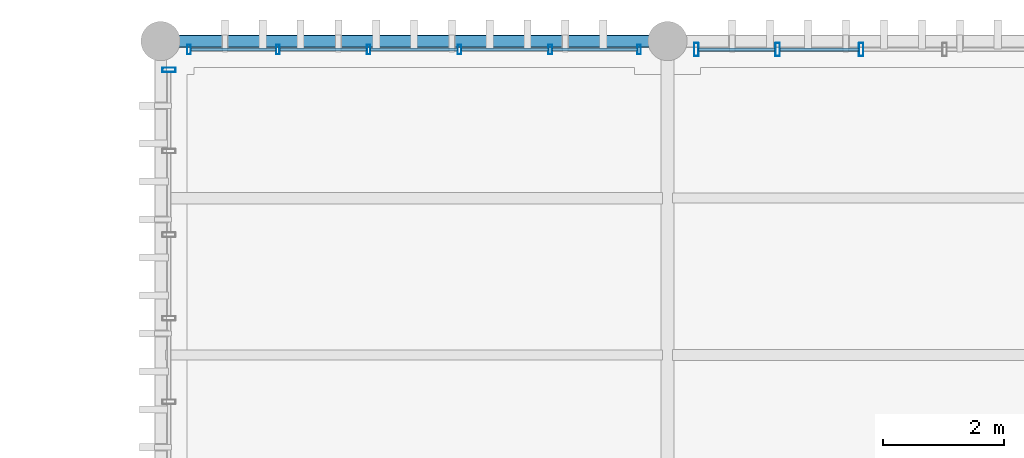
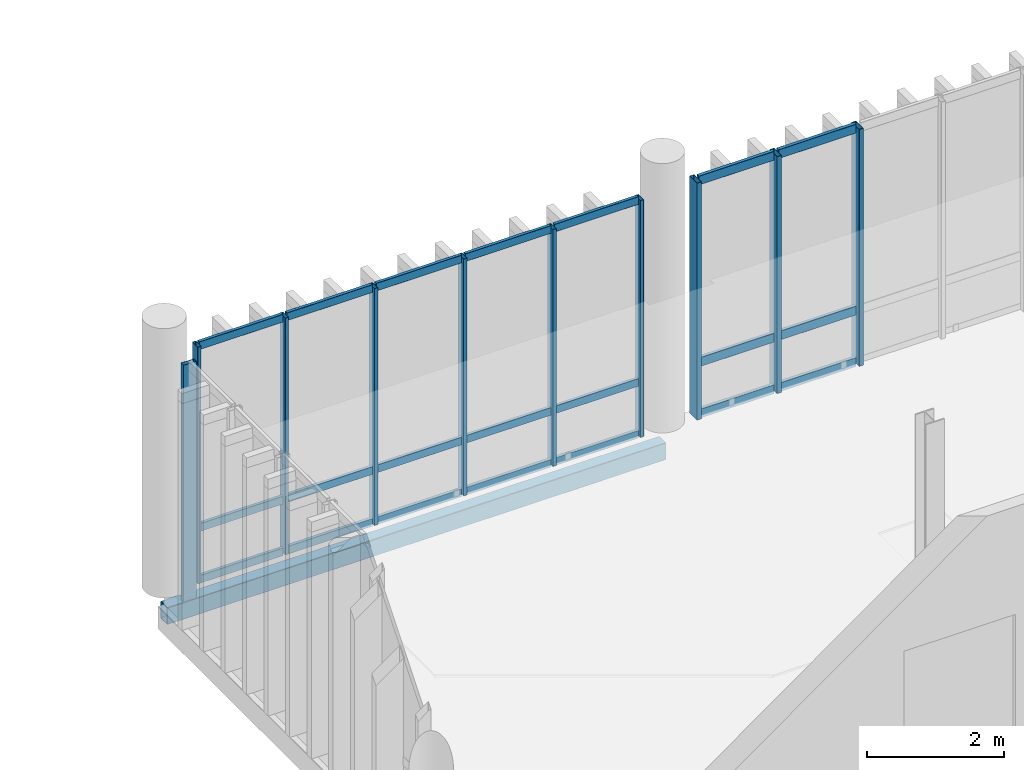
# One storey, part 55 of 86: 31 members, 1 beam, 3 elements without a shape of their own.
"""IFC4 building model written with IfcOpenShell, lengths in metres."""

from ifc_helpers import new_model, si_unit, direction, frame, origin_with_axes, origin_2d_with_axis, place, context, subcontext, project, spatial, hollow_rectangle, extrude, material, material_profile, profile_set, type_object, element, aggregate, save


model = new_model("IFC4")

# Units and contexts
model_context = context("Model", 3, precision=1e-05, world=origin_with_axes(), true_north=direction((0.0, 1.0)))
body_context = subcontext(model_context, "Body", "Model", "MODEL_VIEW")
ifc_project = project(units=[si_unit("LENGTHUNIT", "METRE"), si_unit("AREAUNIT", "SQUARE_METRE"), si_unit("VOLUMEUNIT", "CUBIC_METRE"), si_unit("PLANEANGLEUNIT", "RADIAN"), si_unit("MASSUNIT", "GRAM", prefix="KILO"), si_unit("THERMODYNAMICTEMPERATUREUNIT", "KELVIN")], contexts=[model_context])

# Site, building, storey
site_placement = place(None, origin_with_axes())
site = spatial("IfcSite", under=ifc_project, at=site_placement, CompositionType="ELEMENT")
building_placement = place(site_placement, origin_with_axes())
building = spatial("IfcBuilding", under=site, at=building_placement, Name="Montbau Bow Law Courts", CompositionType="ELEMENT")
storey_placement = place(building_placement, frame((0.0, 0.0, 29.7), z_axis=(0.0, 0.0, 1.0), x_axis=(1.0, 0.0, 0.0)))
storey = spatial("IfcBuildingStorey", under=building, at=storey_placement, Name="L06", CompositionType="ELEMENT", Elevation=29.7)

# Beam
ifc_material_1 = material(Name="Steel CSA G40.21 Grade 350WT (350 MPa)", Category="steel")
ifc_material_profile_1 = material_profile(ifc_material_1, hollow_rectangle(XDim=0.203, YDim=0.305, WallThickness=0.0127, InnerFilletRadius=0.0254, OuterFilletRadius=0.0127, at=origin_2d_with_axis()), Name="HSS305X203X13", Category="Main", Priority=0)
ifc_profile_set_1 = profile_set([ifc_material_profile_1], Name="Steel CSA G40.21 Grade 350WT (350 MPa)")
beam_type = type_object("IfcBeamType", Name="B-SPN-02", PredefinedType="SPANDREL", material=ifc_profile_set_1)
beam_placement = place(None, frame((138.6, 111.0, 29.207), z_axis=(1.0, 0.0, 0.0), x_axis=(0.0, 1.0, 0.0)))
element("IfcBeam", 1, at=beam_placement, inside=storey, type_object=beam_type, Name="SPN-L06-S1314:bm2_1317", PredefinedType="SPANDREL", context=body_context, shape_type="SweptSolid", body=[
    extrude(hollow_rectangle(XDim=0.203, YDim=0.305, WallThickness=0.0127, InnerFilletRadius=0.0254, OuterFilletRadius=0.0127, at=origin_2d_with_axis()), origin_with_axes(), (0.0, 0.0, 1.0), 8.4),
])

# Curtain wall, members
ifc_material_2 = material(Name="Thermally Broken Extruded Aluminium AA 6063-T6", Category="aluminium")
curtain_wall_type = type_object("IfcCurtainWallType", Name="CW-SLT-02", PredefinedType="NOTDEFINED", material=ifc_material_2)
curtain_wall_1_placement = place(None, frame((147.44, 110.86, 29.7), z_axis=(0.0, 0.0, 1.0), x_axis=(1.0, 0.0, 0.0)))
curtain_wall_1 = element("IfcCurtainWall", 2, at=curtain_wall_1_placement, inside=storey, type_object=curtain_wall_type, Name="CW-L06-354:cw_0354", PredefinedType="NOTDEFINED")
ifc_material_profile_2 = material_profile(ifc_material_2, hollow_rectangle(XDim=0.075, YDim=0.22, WallThickness=0.005, InnerFilletRadius=0.01, OuterFilletRadius=0.005, at=origin_2d_with_axis()), Name="CWM-220X75", Category="Main", Priority=0)
ifc_profile_set_2 = profile_set([ifc_material_profile_2], Name="Thermally Broken Extruded Aluminium AA 6063-T6")
member_type_1 = type_object("IfcMemberType", Name="M-MUL-01", PredefinedType="MULLION", material=ifc_profile_set_2)
member_1_placement = place(None, frame((147.477, 110.86, 29.7), z_axis=(0.0, 0.0, 1.0), x_axis=(1.0, 0.0, 0.0)))
member_1 = element("IfcMember", 3, at=member_1_placement, type_object=member_type_1, Name="CW-L06-354-M01:cw_0354_M01", PredefinedType="MULLION", context=body_context, shape_type="SweptSolid", body=[
    extrude(hollow_rectangle(XDim=0.075, YDim=0.22, WallThickness=0.005, InnerFilletRadius=0.01, OuterFilletRadius=0.005, at=origin_2d_with_axis()), origin_with_axes(), (0.0, 0.0, 1.0), 4.22),
])
member_2_placement = place(None, frame((148.824, 110.86, 29.7), z_axis=(0.0, 0.0, 1.0), x_axis=(1.0, 0.0, 0.0)))
member_2 = element("IfcMember", 4, at=member_2_placement, type_object=member_type_1, Name="CW-L06-354-M02:cw_0354_M02", PredefinedType="MULLION", context=body_context, shape_type="SweptSolid", body=[
    extrude(hollow_rectangle(XDim=0.075, YDim=0.22, WallThickness=0.005, InnerFilletRadius=0.01, OuterFilletRadius=0.005, at=origin_2d_with_axis()), origin_with_axes(), (0.0, 0.0, 1.0), 4.22),
])
member_3_placement = place(None, frame((150.208, 110.86, 29.7), z_axis=(0.0, 0.0, 1.0), x_axis=(1.0, 0.0, 0.0)))
member_3 = element("IfcMember", 5, at=member_3_placement, type_object=member_type_1, Name="CW-L06-354-M03:cw_0354_M03", PredefinedType="MULLION", context=body_context, shape_type="SweptSolid", body=[
    extrude(hollow_rectangle(XDim=0.075, YDim=0.22, WallThickness=0.005, InnerFilletRadius=0.01, OuterFilletRadius=0.005, at=origin_2d_with_axis()), origin_with_axes(), (0.0, 0.0, 1.0), 4.22),
])

# Curtain wall, member
curtain_wall_2_placement = place(None, frame((138.74, 103.64, 29.7), z_axis=(0.0, 0.0, 1.0), x_axis=(1.0, 0.0, 0.0)))
curtain_wall_2 = element("IfcCurtainWall", 6, at=curtain_wall_2_placement, inside=storey, type_object=curtain_wall_type, Name="CW-L06-360:cw_0360", PredefinedType="NOTDEFINED")
member_4_placement = place(None, frame((138.74, 110.523, 29.7), z_axis=(0.0, 0.0, 1.0), x_axis=(0.0, 1.0, 0.0)))
member_4 = element("IfcMember", 7, at=member_4_placement, type_object=member_type_1, Name="CW-L06-360-M06:cw_0360_M06", PredefinedType="MULLION", context=body_context, shape_type="SweptSolid", body=[
    extrude(hollow_rectangle(XDim=0.075, YDim=0.22, WallThickness=0.005, InnerFilletRadius=0.01, OuterFilletRadius=0.005, at=origin_2d_with_axis()), origin_with_axes(), (0.0, 0.0, 1.0), 4.22),
])
aggregate(curtain_wall_2, [member_4])

# Curtain wall, members
curtain_wall_3_placement = place(None, frame((139.04, 110.86, 29.7), z_axis=(0.0, 0.0, 1.0), x_axis=(1.0, 0.0, 0.0)))
curtain_wall_3 = element("IfcCurtainWall", 8, at=curtain_wall_3_placement, inside=storey, type_object=curtain_wall_type, Name="CW-L06-353:cw_0353", PredefinedType="NOTDEFINED")
ifc_material_profile_3 = material_profile(ifc_material_2, hollow_rectangle(XDim=0.06, YDim=0.16, WallThickness=0.004, InnerFilletRadius=0.008, OuterFilletRadius=0.004, at=origin_2d_with_axis()), Name="CWM-160X60", Category="Main", Priority=0)
ifc_profile_set_3 = profile_set([ifc_material_profile_3], Name="Thermally Broken Extruded Aluminium AA 6063-T6")
member_type_2 = type_object("IfcMemberType", Name="M-MUL-03", PredefinedType="MULLION", material=ifc_profile_set_3)
member_5_placement = place(None, frame((139.07, 110.86, 29.7), z_axis=(0.0, 0.0, 1.0), x_axis=(1.0, 0.0, 0.0)))
member_5 = element("IfcMember", 9, at=member_5_placement, type_object=member_type_2, Name="CW-L06-353-M01:cw_0353_M01", PredefinedType="MULLION", context=body_context, shape_type="SweptSolid", body=[
    extrude(hollow_rectangle(XDim=0.06, YDim=0.16, WallThickness=0.004, InnerFilletRadius=0.008, OuterFilletRadius=0.004, at=origin_2d_with_axis()), origin_with_axes(), (0.0, 0.0, 1.0), 4.22),
])
member_6_placement = place(None, frame((140.544, 110.86, 29.7), z_axis=(0.0, 0.0, 1.0), x_axis=(1.0, 0.0, 0.0)))
member_6 = element("IfcMember", 10, at=member_6_placement, type_object=member_type_2, Name="CW-L06-353-M02:cw_0353_M02", PredefinedType="MULLION", context=body_context, shape_type="SweptSolid", body=[
    extrude(hollow_rectangle(XDim=0.06, YDim=0.16, WallThickness=0.004, InnerFilletRadius=0.008, OuterFilletRadius=0.004, at=origin_2d_with_axis()), origin_with_axes(), (0.0, 0.0, 1.0), 4.22),
])
member_7_placement = place(None, frame((142.048, 110.86, 29.7), z_axis=(0.0, 0.0, 1.0), x_axis=(1.0, 0.0, 0.0)))
member_7 = element("IfcMember", 11, at=member_7_placement, type_object=member_type_2, Name="CW-L06-353-M03:cw_0353_M03", PredefinedType="MULLION", context=body_context, shape_type="SweptSolid", body=[
    extrude(hollow_rectangle(XDim=0.06, YDim=0.16, WallThickness=0.004, InnerFilletRadius=0.008, OuterFilletRadius=0.004, at=origin_2d_with_axis()), origin_with_axes(), (0.0, 0.0, 1.0), 4.22),
])
member_8_placement = place(None, frame((143.552, 110.86, 29.7), z_axis=(0.0, 0.0, 1.0), x_axis=(1.0, 0.0, 0.0)))
member_8 = element("IfcMember", 12, at=member_8_placement, type_object=member_type_2, Name="CW-L06-353-M04:cw_0353_M04", PredefinedType="MULLION", context=body_context, shape_type="SweptSolid", body=[
    extrude(hollow_rectangle(XDim=0.06, YDim=0.16, WallThickness=0.004, InnerFilletRadius=0.008, OuterFilletRadius=0.004, at=origin_2d_with_axis()), origin_with_axes(), (0.0, 0.0, 1.0), 4.22),
])
member_9_placement = place(None, frame((145.056, 110.86, 29.7), z_axis=(0.0, 0.0, 1.0), x_axis=(1.0, 0.0, 0.0)))
member_9 = element("IfcMember", 13, at=member_9_placement, type_object=member_type_2, Name="CW-L06-353-M05:cw_0353_M05", PredefinedType="MULLION", context=body_context, shape_type="SweptSolid", body=[
    extrude(hollow_rectangle(XDim=0.06, YDim=0.16, WallThickness=0.004, InnerFilletRadius=0.008, OuterFilletRadius=0.004, at=origin_2d_with_axis()), origin_with_axes(), (0.0, 0.0, 1.0), 4.22),
])
member_10_placement = place(None, frame((146.53, 110.86, 29.7), z_axis=(0.0, 0.0, 1.0), x_axis=(1.0, 0.0, 0.0)))
member_10 = element("IfcMember", 14, at=member_10_placement, type_object=member_type_2, Name="CW-L06-353-M06:cw_0353_M06", PredefinedType="MULLION", context=body_context, shape_type="SweptSolid", body=[
    extrude(hollow_rectangle(XDim=0.06, YDim=0.16, WallThickness=0.004, InnerFilletRadius=0.008, OuterFilletRadius=0.004, at=origin_2d_with_axis()), origin_with_axes(), (0.0, 0.0, 1.0), 4.22),
])

# Member
ifc_material_profile_4 = material_profile(ifc_material_2, hollow_rectangle(XDim=0.06, YDim=0.16, WallThickness=0.004, InnerFilletRadius=0.008, OuterFilletRadius=0.004, at=origin_2d_with_axis()), Name="CWT-160X60", Category="Main", Priority=0)
ifc_profile_set_4 = profile_set([ifc_material_profile_4], Name="Thermally Broken Extruded Aluminium AA 6063-T6")
member_type_3 = type_object("IfcMemberType", Name="M-TRN-01", PredefinedType="USERDEFINED", material=ifc_profile_set_4)
member_11_placement = place(None, frame((147.516, 110.86, 29.73), z_axis=(1.0, 0.0, 0.0), x_axis=(0.0, 1.0, 0.0)))
member_11 = element("IfcMember", 15, at=member_11_placement, type_object=member_type_3, Name="CW-L06-354-T01-1:cw_0354_T01_1", ObjectType="TRANSOM", PredefinedType="USERDEFINED", context=body_context, shape_type="SweptSolid", body=[
    extrude(hollow_rectangle(XDim=0.06, YDim=0.16, WallThickness=0.004, InnerFilletRadius=0.008, OuterFilletRadius=0.004, at=origin_2d_with_axis()), origin_with_axes(), (0.0, 0.0, 1.0), 1.268),
])

member_12_placement = place(None, frame((147.516, 110.86, 30.65), z_axis=(1.0, 0.0, 0.0), x_axis=(0.0, 1.0, 0.0)))
member_12 = element("IfcMember", 16, at=member_12_placement, type_object=member_type_3, Name="CW-L06-354-T01-2:cw_0354_T01_2", ObjectType="TRANSOM", PredefinedType="USERDEFINED", context=body_context, shape_type="SweptSolid", body=[
    extrude(hollow_rectangle(XDim=0.06, YDim=0.16, WallThickness=0.004, InnerFilletRadius=0.008, OuterFilletRadius=0.004, at=origin_2d_with_axis()), origin_with_axes(), (0.0, 0.0, 1.0), 1.268),
])

member_13_placement = place(None, frame((147.516, 110.86, 33.89), z_axis=(1.0, 0.0, 0.0), x_axis=(0.0, 1.0, 0.0)))
member_13 = element("IfcMember", 17, at=member_13_placement, type_object=member_type_3, Name="CW-L06-354-T01-3:cw_0354_T01_3", ObjectType="TRANSOM", PredefinedType="USERDEFINED", context=body_context, shape_type="SweptSolid", body=[
    extrude(hollow_rectangle(XDim=0.06, YDim=0.16, WallThickness=0.004, InnerFilletRadius=0.008, OuterFilletRadius=0.004, at=origin_2d_with_axis()), origin_with_axes(), (0.0, 0.0, 1.0), 1.268),
])

member_14_placement = place(None, frame((148.863, 110.86, 29.73), z_axis=(1.0, 0.0, 0.0), x_axis=(0.0, 1.0, 0.0)))
member_14 = element("IfcMember", 18, at=member_14_placement, type_object=member_type_3, Name="CW-L06-354-T02-1:cw_0354_T02_1", ObjectType="TRANSOM", PredefinedType="USERDEFINED", context=body_context, shape_type="SweptSolid", body=[
    extrude(hollow_rectangle(XDim=0.06, YDim=0.16, WallThickness=0.004, InnerFilletRadius=0.008, OuterFilletRadius=0.004, at=origin_2d_with_axis()), origin_with_axes(), (0.0, 0.0, 1.0), 1.305),
])

member_15_placement = place(None, frame((148.863, 110.86, 30.65), z_axis=(1.0, 0.0, 0.0), x_axis=(0.0, 1.0, 0.0)))
member_15 = element("IfcMember", 19, at=member_15_placement, type_object=member_type_3, Name="CW-L06-354-T02-2:cw_0354_T02_2", ObjectType="TRANSOM", PredefinedType="USERDEFINED", context=body_context, shape_type="SweptSolid", body=[
    extrude(hollow_rectangle(XDim=0.06, YDim=0.16, WallThickness=0.004, InnerFilletRadius=0.008, OuterFilletRadius=0.004, at=origin_2d_with_axis()), origin_with_axes(), (0.0, 0.0, 1.0), 1.305),
])

member_16_placement = place(None, frame((148.863, 110.86, 33.89), z_axis=(1.0, 0.0, 0.0), x_axis=(0.0, 1.0, 0.0)))
member_16 = element("IfcMember", 20, at=member_16_placement, type_object=member_type_3, Name="CW-L06-354-T02-3:cw_0354_T02_3", ObjectType="TRANSOM", PredefinedType="USERDEFINED", context=body_context, shape_type="SweptSolid", body=[
    extrude(hollow_rectangle(XDim=0.06, YDim=0.16, WallThickness=0.004, InnerFilletRadius=0.008, OuterFilletRadius=0.004, at=origin_2d_with_axis()), origin_with_axes(), (0.0, 0.0, 1.0), 1.305),
])

aggregate(curtain_wall_1, [member_1, member_2, member_3, member_11, member_12, member_13, member_14, member_15, member_16])

ifc_material_profile_5 = material_profile(ifc_material_2, hollow_rectangle(XDim=0.055, YDim=0.14, WallThickness=0.004, InnerFilletRadius=0.008, OuterFilletRadius=0.004, at=origin_2d_with_axis()), Name="CWT-140X55", Category="Main", Priority=0)
ifc_profile_set_5 = profile_set([ifc_material_profile_5], Name="Thermally Broken Extruded Aluminium AA 6063-T6")
member_type_4 = type_object("IfcMemberType", Name="M-TRN-02", PredefinedType="USERDEFINED", material=ifc_profile_set_5)
member_17_placement = place(None, frame((139.102, 110.86, 29.727), z_axis=(1.0, 0.0, 0.0), x_axis=(0.0, 1.0, 0.0)))
member_17 = element("IfcMember", 21, at=member_17_placement, type_object=member_type_4, Name="CW-L06-353-T01-1:cw_0353_T01_1", ObjectType="TRANSOM", PredefinedType="USERDEFINED", context=body_context, shape_type="SweptSolid", body=[
    extrude(hollow_rectangle(XDim=0.055, YDim=0.14, WallThickness=0.004, InnerFilletRadius=0.008, OuterFilletRadius=0.004, at=origin_2d_with_axis()), origin_with_axes(), (0.0, 0.0, 1.0), 1.41),
])

member_18_placement = place(None, frame((139.102, 110.86, 30.65), z_axis=(1.0, 0.0, 0.0), x_axis=(0.0, 1.0, 0.0)))
member_18 = element("IfcMember", 22, at=member_18_placement, type_object=member_type_4, Name="CW-L06-353-T01-2:cw_0353_T01_2", ObjectType="TRANSOM", PredefinedType="USERDEFINED", context=body_context, shape_type="SweptSolid", body=[
    extrude(hollow_rectangle(XDim=0.055, YDim=0.14, WallThickness=0.004, InnerFilletRadius=0.008, OuterFilletRadius=0.004, at=origin_2d_with_axis()), origin_with_axes(), (0.0, 0.0, 1.0), 1.41),
])

member_19_placement = place(None, frame((139.102, 110.86, 33.892), z_axis=(1.0, 0.0, 0.0), x_axis=(0.0, 1.0, 0.0)))
member_19 = element("IfcMember", 23, at=member_19_placement, type_object=member_type_4, Name="CW-L06-353-T01-3:cw_0353_T01_3", ObjectType="TRANSOM", PredefinedType="USERDEFINED", context=body_context, shape_type="SweptSolid", body=[
    extrude(hollow_rectangle(XDim=0.055, YDim=0.14, WallThickness=0.004, InnerFilletRadius=0.008, OuterFilletRadius=0.004, at=origin_2d_with_axis()), origin_with_axes(), (0.0, 0.0, 1.0), 1.41),
])

member_20_placement = place(None, frame((140.576, 110.86, 29.727), z_axis=(1.0, 0.0, 0.0), x_axis=(0.0, 1.0, 0.0)))
member_20 = element("IfcMember", 24, at=member_20_placement, type_object=member_type_4, Name="CW-L06-353-T02-1:cw_0353_T02_1", ObjectType="TRANSOM", PredefinedType="USERDEFINED", context=body_context, shape_type="SweptSolid", body=[
    extrude(hollow_rectangle(XDim=0.055, YDim=0.14, WallThickness=0.004, InnerFilletRadius=0.008, OuterFilletRadius=0.004, at=origin_2d_with_axis()), origin_with_axes(), (0.0, 0.0, 1.0), 1.44),
])

member_21_placement = place(None, frame((140.576, 110.86, 30.65), z_axis=(1.0, 0.0, 0.0), x_axis=(0.0, 1.0, 0.0)))
member_21 = element("IfcMember", 25, at=member_21_placement, type_object=member_type_4, Name="CW-L06-353-T02-2:cw_0353_T02_2", ObjectType="TRANSOM", PredefinedType="USERDEFINED", context=body_context, shape_type="SweptSolid", body=[
    extrude(hollow_rectangle(XDim=0.055, YDim=0.14, WallThickness=0.004, InnerFilletRadius=0.008, OuterFilletRadius=0.004, at=origin_2d_with_axis()), origin_with_axes(), (0.0, 0.0, 1.0), 1.44),
])

member_22_placement = place(None, frame((140.576, 110.86, 33.892), z_axis=(1.0, 0.0, 0.0), x_axis=(0.0, 1.0, 0.0)))
member_22 = element("IfcMember", 26, at=member_22_placement, type_object=member_type_4, Name="CW-L06-353-T02-3:cw_0353_T02_3", ObjectType="TRANSOM", PredefinedType="USERDEFINED", context=body_context, shape_type="SweptSolid", body=[
    extrude(hollow_rectangle(XDim=0.055, YDim=0.14, WallThickness=0.004, InnerFilletRadius=0.008, OuterFilletRadius=0.004, at=origin_2d_with_axis()), origin_with_axes(), (0.0, 0.0, 1.0), 1.44),
])

member_23_placement = place(None, frame((142.08, 110.86, 29.727), z_axis=(1.0, 0.0, 0.0), x_axis=(0.0, 1.0, 0.0)))
member_23 = element("IfcMember", 27, at=member_23_placement, type_object=member_type_4, Name="CW-L06-353-T03-1:cw_0353_T03_1", ObjectType="TRANSOM", PredefinedType="USERDEFINED", context=body_context, shape_type="SweptSolid", body=[
    extrude(hollow_rectangle(XDim=0.055, YDim=0.14, WallThickness=0.004, InnerFilletRadius=0.008, OuterFilletRadius=0.004, at=origin_2d_with_axis()), origin_with_axes(), (0.0, 0.0, 1.0), 1.44),
])

member_24_placement = place(None, frame((142.08, 110.86, 30.65), z_axis=(1.0, 0.0, 0.0), x_axis=(0.0, 1.0, 0.0)))
member_24 = element("IfcMember", 28, at=member_24_placement, type_object=member_type_4, Name="CW-L06-353-T03-2:cw_0353_T03_2", ObjectType="TRANSOM", PredefinedType="USERDEFINED", context=body_context, shape_type="SweptSolid", body=[
    extrude(hollow_rectangle(XDim=0.055, YDim=0.14, WallThickness=0.004, InnerFilletRadius=0.008, OuterFilletRadius=0.004, at=origin_2d_with_axis()), origin_with_axes(), (0.0, 0.0, 1.0), 1.44),
])

member_25_placement = place(None, frame((142.08, 110.86, 33.892), z_axis=(1.0, 0.0, 0.0), x_axis=(0.0, 1.0, 0.0)))
member_25 = element("IfcMember", 29, at=member_25_placement, type_object=member_type_4, Name="CW-L06-353-T03-3:cw_0353_T03_3", ObjectType="TRANSOM", PredefinedType="USERDEFINED", context=body_context, shape_type="SweptSolid", body=[
    extrude(hollow_rectangle(XDim=0.055, YDim=0.14, WallThickness=0.004, InnerFilletRadius=0.008, OuterFilletRadius=0.004, at=origin_2d_with_axis()), origin_with_axes(), (0.0, 0.0, 1.0), 1.44),
])

member_26_placement = place(None, frame((143.584, 110.86, 29.727), z_axis=(1.0, 0.0, 0.0), x_axis=(0.0, 1.0, 0.0)))
member_26 = element("IfcMember", 30, at=member_26_placement, type_object=member_type_4, Name="CW-L06-353-T04-1:cw_0353_T04_1", ObjectType="TRANSOM", PredefinedType="USERDEFINED", context=body_context, shape_type="SweptSolid", body=[
    extrude(hollow_rectangle(XDim=0.055, YDim=0.14, WallThickness=0.004, InnerFilletRadius=0.008, OuterFilletRadius=0.004, at=origin_2d_with_axis()), origin_with_axes(), (0.0, 0.0, 1.0), 1.44),
])

member_27_placement = place(None, frame((143.584, 110.86, 30.65), z_axis=(1.0, 0.0, 0.0), x_axis=(0.0, 1.0, 0.0)))
member_27 = element("IfcMember", 31, at=member_27_placement, type_object=member_type_4, Name="CW-L06-353-T04-2:cw_0353_T04_2", ObjectType="TRANSOM", PredefinedType="USERDEFINED", context=body_context, shape_type="SweptSolid", body=[
    extrude(hollow_rectangle(XDim=0.055, YDim=0.14, WallThickness=0.004, InnerFilletRadius=0.008, OuterFilletRadius=0.004, at=origin_2d_with_axis()), origin_with_axes(), (0.0, 0.0, 1.0), 1.44),
])

member_28_placement = place(None, frame((143.584, 110.86, 33.892), z_axis=(1.0, 0.0, 0.0), x_axis=(0.0, 1.0, 0.0)))
member_28 = element("IfcMember", 32, at=member_28_placement, type_object=member_type_4, Name="CW-L06-353-T04-3:cw_0353_T04_3", ObjectType="TRANSOM", PredefinedType="USERDEFINED", context=body_context, shape_type="SweptSolid", body=[
    extrude(hollow_rectangle(XDim=0.055, YDim=0.14, WallThickness=0.004, InnerFilletRadius=0.008, OuterFilletRadius=0.004, at=origin_2d_with_axis()), origin_with_axes(), (0.0, 0.0, 1.0), 1.44),
])

member_29_placement = place(None, frame((145.088, 110.86, 29.727), z_axis=(1.0, 0.0, 0.0), x_axis=(0.0, 1.0, 0.0)))
member_29 = element("IfcMember", 33, at=member_29_placement, type_object=member_type_4, Name="CW-L06-353-T05-1:cw_0353_T05_1", ObjectType="TRANSOM", PredefinedType="USERDEFINED", context=body_context, shape_type="SweptSolid", body=[
    extrude(hollow_rectangle(XDim=0.055, YDim=0.14, WallThickness=0.004, InnerFilletRadius=0.008, OuterFilletRadius=0.004, at=origin_2d_with_axis()), origin_with_axes(), (0.0, 0.0, 1.0), 1.41),
])

member_30_placement = place(None, frame((145.088, 110.86, 30.65), z_axis=(1.0, 0.0, 0.0), x_axis=(0.0, 1.0, 0.0)))
member_30 = element("IfcMember", 34, at=member_30_placement, type_object=member_type_4, Name="CW-L06-353-T05-2:cw_0353_T05_2", ObjectType="TRANSOM", PredefinedType="USERDEFINED", context=body_context, shape_type="SweptSolid", body=[
    extrude(hollow_rectangle(XDim=0.055, YDim=0.14, WallThickness=0.004, InnerFilletRadius=0.008, OuterFilletRadius=0.004, at=origin_2d_with_axis()), origin_with_axes(), (0.0, 0.0, 1.0), 1.41),
])

member_31_placement = place(None, frame((145.088, 110.86, 33.892), z_axis=(1.0, 0.0, 0.0), x_axis=(0.0, 1.0, 0.0)))
member_31 = element("IfcMember", 35, at=member_31_placement, type_object=member_type_4, Name="CW-L06-353-T05-3:cw_0353_T05_3", ObjectType="TRANSOM", PredefinedType="USERDEFINED", context=body_context, shape_type="SweptSolid", body=[
    extrude(hollow_rectangle(XDim=0.055, YDim=0.14, WallThickness=0.004, InnerFilletRadius=0.008, OuterFilletRadius=0.004, at=origin_2d_with_axis()), origin_with_axes(), (0.0, 0.0, 1.0), 1.41),
])

aggregate(curtain_wall_3, [member_5, member_6, member_7, member_8, member_9, member_10, member_17, member_18, member_19, member_20, member_21, member_22, member_23, member_24, member_25, member_26, member_27, member_28, member_29, member_30, member_31])

save(model, "model.ifc")
